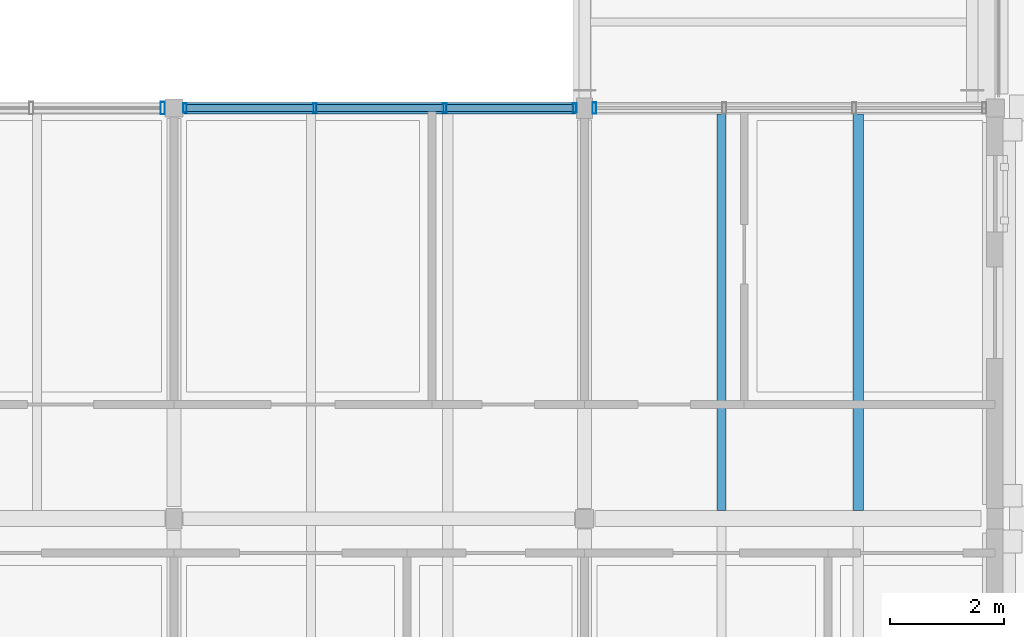
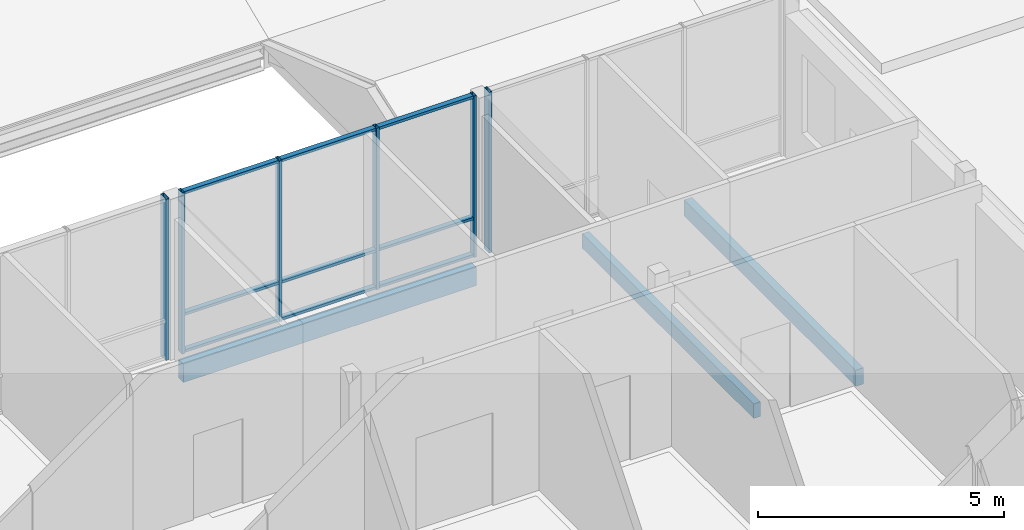
# One storey, part 40 of 115: 15 members, 3 beams, 3 elements without a shape of their own.
"""IFC4 building model written with IfcOpenShell, lengths in metres."""

from ifc_helpers import new_model, si_unit, direction, frame, origin, origin_2d, place, context, subcontext, project, spatial, rectangle, hollow_rectangle, extrude, material, material_profile, profile_set, type_object, element, aggregate, save


model = new_model("IFC4")

# Units and contexts
model_context = context("Model", 3, precision=1e-05, world=origin(), true_north=direction((0.0, 1.0)))
body_context = subcontext(model_context, "Body", "Model", "MODEL_VIEW")
ifc_project = project(units=[si_unit("LENGTHUNIT", "METRE"), si_unit("AREAUNIT", "SQUARE_METRE"), si_unit("VOLUMEUNIT", "CUBIC_METRE"), si_unit("PLANEANGLEUNIT", "RADIAN"), si_unit("MASSUNIT", "GRAM", prefix="KILO")], contexts=[model_context])

# Site, building, storey
site_placement = place(None, origin())
site = spatial("IfcSite", under=ifc_project, at=site_placement, CompositionType="ELEMENT")
building_placement = place(site_placement, origin())
building = spatial("IfcBuilding", under=site, at=building_placement, Name="Hawrajan Terrace Health Centre", CompositionType="ELEMENT")
storey_placement = place(building_placement, frame((0.0, 0.0, 9.0)))
storey = spatial("IfcBuildingStorey", under=building, at=storey_placement, Name="L02", CompositionType="ELEMENT", Elevation=9.0)

# Curtain wall, members
ifc_material_1 = material(Name="Anodized bronze aluminium and low-E solar glazing", Category="aluminium")
curtain_wall_type_1 = type_object("IfcCurtainWallType", Name="CW_Diagnostic_SeriesM2", PredefinedType="USERDEFINED", material=ifc_material_1)
curtain_wall_1_placement = place(storey_placement, origin())
curtain_wall_1 = element("IfcCurtainWall", 1, at=curtain_wall_1_placement, inside=storey, type_object=curtain_wall_type_1, Name="Curtain wall CW-L02-144", ObjectType="UNITISED CURTAIN WALL", PredefinedType="USERDEFINED")
ifc_material_2 = material(Name="Anodized bronze aluminium 6063-T6", Category="aluminium")
ifc_material_profile_1 = material_profile(ifc_material_2, hollow_rectangle(XDim=0.06494140625, YDim=0.159912109375, WallThickness=0.00390625, at=origin_2d()), Name="CW MUL 65x160")
ifc_profile_set_1 = profile_set([ifc_material_profile_1], Name="Anodized bronze aluminium 6063-T6")
member_type_1 = type_object("IfcMemberType", Name="CWMullion_65x160", PredefinedType="MULLION", material=ifc_profile_set_1)
member_1_placement = place(storey_placement, frame((100.79248046875, 18.60009765625, -0.0048828125), z_axis=(0.0, 0.0, 1.0), x_axis=(1.0, 0.0, 0.0)))
member_1 = element("IfcMember", 2, at=member_1_placement, type_object=member_type_1, Name="Mullion CW-L02-144-M1", PredefinedType="MULLION", context=body_context, shape_type="SweptSolid", body=[
    extrude(hollow_rectangle(XDim=0.06494140625, YDim=0.159912109375, WallThickness=0.00390625, at=origin_2d()), origin(), (0.0, 0.0, 1.0), 4.0),
])
member_2_placement = place(storey_placement, frame((103.07080078125, 18.60009765625, -0.0048828125), z_axis=(0.0, 0.0, 1.0), x_axis=(1.0, 0.0, 0.0)))
member_2 = element("IfcMember", 3, at=member_2_placement, type_object=member_type_1, Name="Mullion CW-L02-144-M2", PredefinedType="MULLION", context=body_context, shape_type="SweptSolid", body=[
    extrude(hollow_rectangle(XDim=0.06494140625, YDim=0.159912109375, WallThickness=0.00390625, at=origin_2d()), origin(), (0.0, 0.0, 1.0), 4.0),
])
member_3_placement = place(storey_placement, frame((105.34912109375, 18.60009765625, -0.0048828125), z_axis=(0.0, 0.0, 1.0), x_axis=(1.0, 0.0, 0.0)))
member_3 = element("IfcMember", 4, at=member_3_placement, type_object=member_type_1, Name="Mullion CW-L02-144-M3", PredefinedType="MULLION", context=body_context, shape_type="SweptSolid", body=[
    extrude(hollow_rectangle(XDim=0.06494140625, YDim=0.159912109375, WallThickness=0.00390625, at=origin_2d()), origin(), (0.0, 0.0, 1.0), 4.0),
])
member_4_placement = place(storey_placement, frame((107.62744140625, 18.60009765625, -0.0048828125), z_axis=(0.0, 0.0, 1.0), x_axis=(1.0, 0.0, 0.0)))
member_4 = element("IfcMember", 5, at=member_4_placement, type_object=member_type_1, Name="Mullion CW-L02-144-M4", PredefinedType="MULLION", context=body_context, shape_type="SweptSolid", body=[
    extrude(hollow_rectangle(XDim=0.06494140625, YDim=0.159912109375, WallThickness=0.00390625, at=origin_2d()), origin(), (0.0, 0.0, 1.0), 4.0),
])

# Curtain wall, member
curtain_wall_type_2 = type_object("IfcCurtainWallType", Name="CW_Court_SeriesA1", PredefinedType="USERDEFINED", material=ifc_material_1)
curtain_wall_2_placement = place(storey_placement, origin())
curtain_wall_2 = element("IfcCurtainWall", 6, at=curtain_wall_2_placement, inside=storey, type_object=curtain_wall_type_2, Name="Curtain wall CW-L02-145", ObjectType="UNITISED CURTAIN WALL", PredefinedType="USERDEFINED")
ifc_material_profile_2 = material_profile(ifc_material_2, hollow_rectangle(XDim=0.06494140625, YDim=0.199951171875, WallThickness=0.00439453125, at=origin_2d()), Name="CW MUL 65x200")
ifc_profile_set_2 = profile_set([ifc_material_profile_2], Name="Anodized bronze aluminium 6063-T6")
member_type_2 = type_object("IfcMemberType", Name="CWMullion_65x200", PredefinedType="MULLION", material=ifc_profile_set_2)
member_5_placement = place(storey_placement, frame((107.972412109375, 18.60009765625, -0.0048828125), z_axis=(0.0, 0.0, 1.0), x_axis=(1.0, 0.0, 0.0)))
member_5 = element("IfcMember", 7, at=member_5_placement, type_object=member_type_2, Name="Mullion CW-L02-145-M1", PredefinedType="MULLION", context=body_context, shape_type="SweptSolid", body=[
    extrude(hollow_rectangle(XDim=0.06494140625, YDim=0.199951171875, WallThickness=0.00439453125, at=origin_2d()), origin(), (0.0, 0.0, 1.0), 3.989990234375),
])
aggregate(curtain_wall_2, [member_5])

curtain_wall_type_3 = type_object("IfcCurtainWallType", Name="CW_Diagnostic_SeriesM1", PredefinedType="USERDEFINED", material=ifc_material_1)
curtain_wall_3_placement = place(storey_placement, origin())
curtain_wall_3 = element("IfcCurtainWall", 8, at=curtain_wall_3_placement, inside=storey, type_object=curtain_wall_type_3, Name="Curtain wall CW-L02-143", ObjectType="UNITISED CURTAIN WALL", PredefinedType="USERDEFINED")
ifc_material_profile_3 = material_profile(ifc_material_2, hollow_rectangle(XDim=0.074951171875, YDim=0.219970703125, WallThickness=0.0048828125, at=origin_2d()), Name="CW MUL 75x220")
ifc_profile_set_3 = profile_set([ifc_material_profile_3], Name="Anodized bronze aluminium 6063-T6")
member_type_3 = type_object("IfcMemberType", Name="CWMullion_75x220", PredefinedType="MULLION", material=ifc_profile_set_3)
member_6_placement = place(storey_placement, frame((100.402587890625, 18.60009765625, -0.0048828125), z_axis=(0.0, 0.0, 1.0), x_axis=(1.0, 0.0, 0.0)))
member_6 = element("IfcMember", 9, at=member_6_placement, type_object=member_type_3, Name="Mullion CW-L02-143-M5", PredefinedType="MULLION", context=body_context, shape_type="SweptSolid", body=[
    extrude(hollow_rectangle(XDim=0.074951171875, YDim=0.219970703125, WallThickness=0.0048828125, at=origin_2d()), origin(), (0.0, 0.0, 1.0), 4.0),
])
aggregate(curtain_wall_3, [member_6])

# Member
ifc_material_profile_4 = material_profile(ifc_material_2, hollow_rectangle(XDim=0.06494140625, YDim=0.1201171875, WallThickness=0.00341796875, at=origin_2d()), Name="CW TRN 65x120")
ifc_profile_set_4 = profile_set([ifc_material_profile_4], Name="Anodized bronze aluminium 6063-T6")
member_type_4 = type_object("IfcMemberType", Name="CWTransom_65x120", PredefinedType="USERDEFINED", material=ifc_profile_set_4)
member_7_placement = place(storey_placement, frame((100.819091796875, 18.60009765625, 0.032470703125), z_axis=(1.0, 0.0, 0.0), x_axis=(0.0, 0.0, 1.0)))
member_7 = element("IfcMember", 10, at=member_7_placement, type_object=member_type_4, Name="Transom CW-L02-144-T1-1", ObjectType="TRANSOM", PredefinedType="USERDEFINED", context=body_context, shape_type="SweptSolid", body=[
    extrude(hollow_rectangle(XDim=0.06494140625, YDim=0.1201171875, WallThickness=0.00341796875, at=origin_2d()), origin(), (0.0, 0.0, 1.0), 2.22509765625),
])

member_8_placement = place(storey_placement, frame((100.819091796875, 18.60009765625, 0.949951171875), z_axis=(1.0, 0.0, 0.0), x_axis=(0.0, 0.0, 1.0)))
member_8 = element("IfcMember", 11, at=member_8_placement, type_object=member_type_4, Name="Transom CW-L02-144-T1-2", ObjectType="TRANSOM", PredefinedType="USERDEFINED", context=body_context, shape_type="SweptSolid", body=[
    extrude(hollow_rectangle(XDim=0.06494140625, YDim=0.1201171875, WallThickness=0.00341796875, at=origin_2d()), origin(), (0.0, 0.0, 1.0), 2.22509765625),
])

member_9_placement = place(storey_placement, frame((100.819091796875, 18.60009765625, 3.95751953125), z_axis=(1.0, 0.0, 0.0), x_axis=(0.0, 0.0, 1.0)))
member_9 = element("IfcMember", 12, at=member_9_placement, type_object=member_type_4, Name="Transom CW-L02-144-T1-3", ObjectType="TRANSOM", PredefinedType="USERDEFINED", context=body_context, shape_type="SweptSolid", body=[
    extrude(hollow_rectangle(XDim=0.06494140625, YDim=0.1201171875, WallThickness=0.00341796875, at=origin_2d()), origin(), (0.0, 0.0, 1.0), 2.22509765625),
])

member_10_placement = place(storey_placement, frame((103.097412109375, 18.60009765625, 0.032470703125), z_axis=(1.0, 0.0, 0.0), x_axis=(0.0, 0.0, 1.0)))
member_10 = element("IfcMember", 13, at=member_10_placement, type_object=member_type_4, Name="Transom CW-L02-144-T2-1", ObjectType="TRANSOM", PredefinedType="USERDEFINED", context=body_context, shape_type="SweptSolid", body=[
    extrude(hollow_rectangle(XDim=0.06494140625, YDim=0.1201171875, WallThickness=0.00341796875, at=origin_2d()), origin(), (0.0, 0.0, 1.0), 2.225341796875),
])

member_11_placement = place(storey_placement, frame((103.097412109375, 18.60009765625, 0.949951171875), z_axis=(1.0, 0.0, 0.0), x_axis=(0.0, 0.0, 1.0)))
member_11 = element("IfcMember", 14, at=member_11_placement, type_object=member_type_4, Name="Transom CW-L02-144-T2-2", ObjectType="TRANSOM", PredefinedType="USERDEFINED", context=body_context, shape_type="SweptSolid", body=[
    extrude(hollow_rectangle(XDim=0.06494140625, YDim=0.1201171875, WallThickness=0.00341796875, at=origin_2d()), origin(), (0.0, 0.0, 1.0), 2.225341796875),
])

member_12_placement = place(storey_placement, frame((103.097412109375, 18.60009765625, 3.95751953125), z_axis=(1.0, 0.0, 0.0), x_axis=(0.0, 0.0, 1.0)))
member_12 = element("IfcMember", 15, at=member_12_placement, type_object=member_type_4, Name="Transom CW-L02-144-T2-3", ObjectType="TRANSOM", PredefinedType="USERDEFINED", context=body_context, shape_type="SweptSolid", body=[
    extrude(hollow_rectangle(XDim=0.06494140625, YDim=0.1201171875, WallThickness=0.00341796875, at=origin_2d()), origin(), (0.0, 0.0, 1.0), 2.225341796875),
])

member_13_placement = place(storey_placement, frame((105.375732421875, 18.60009765625, 0.032470703125), z_axis=(1.0, 0.0, 0.0), x_axis=(0.0, 0.0, 1.0)))
member_13 = element("IfcMember", 16, at=member_13_placement, type_object=member_type_4, Name="Transom CW-L02-144-T3-1", ObjectType="TRANSOM", PredefinedType="USERDEFINED", context=body_context, shape_type="SweptSolid", body=[
    extrude(hollow_rectangle(XDim=0.06494140625, YDim=0.1201171875, WallThickness=0.00341796875, at=origin_2d()), origin(), (0.0, 0.0, 1.0), 2.225341796875),
])

member_14_placement = place(storey_placement, frame((105.375732421875, 18.60009765625, 0.949951171875), z_axis=(1.0, 0.0, 0.0), x_axis=(0.0, 0.0, 1.0)))
member_14 = element("IfcMember", 17, at=member_14_placement, type_object=member_type_4, Name="Transom CW-L02-144-T3-2", ObjectType="TRANSOM", PredefinedType="USERDEFINED", context=body_context, shape_type="SweptSolid", body=[
    extrude(hollow_rectangle(XDim=0.06494140625, YDim=0.1201171875, WallThickness=0.00341796875, at=origin_2d()), origin(), (0.0, 0.0, 1.0), 2.225341796875),
])

member_15_placement = place(storey_placement, frame((105.375732421875, 18.60009765625, 3.95751953125), z_axis=(1.0, 0.0, 0.0), x_axis=(0.0, 0.0, 1.0)))
member_15 = element("IfcMember", 18, at=member_15_placement, type_object=member_type_4, Name="Transom CW-L02-144-T3-3", ObjectType="TRANSOM", PredefinedType="USERDEFINED", context=body_context, shape_type="SweptSolid", body=[
    extrude(hollow_rectangle(XDim=0.06494140625, YDim=0.1201171875, WallThickness=0.00341796875, at=origin_2d()), origin(), (0.0, 0.0, 1.0), 2.225341796875),
])

aggregate(curtain_wall_1, [member_1, member_2, member_3, member_4, member_7, member_8, member_9, member_10, member_11, member_12, member_13, member_14, member_15])

# Beams
ifc_material_3 = material(Name="Glulam GL28h", Category="wood")
ifc_material_profile_5 = material_profile(ifc_material_3, rectangle(XDim=0.159912109375, YDim=0.360107421875, at=origin_2d()), Name="GL JST 160x360")
ifc_profile_set_5 = profile_set([ifc_material_profile_5], Name="Glulam GL28h")
beam_type_1 = type_object("IfcBeamType", Name="GlulamJoist_160x360", PredefinedType="JOIST", material=ifc_profile_set_5)
beam_1_placement = place(storey_placement, frame((110.199951171875, 11.5400390625, -0.4599609375), z_axis=(0.0, 1.0, 0.0), x_axis=(-1.0, 0.0, 0.0)))
element("IfcBeam", 19, at=beam_1_placement, inside=storey, type_object=beam_type_1, Name="Secondary joist JST-L02-C-14-2-1", PredefinedType="JOIST", context=body_context, shape_type="SweptSolid", body=[
    extrude(rectangle(XDim=0.159912109375, YDim=0.360107421875, at=origin_2d()), origin(), (0.0, 0.0, 1.0), 6.9599609375),
])
ifc_material_profile_6 = material_profile(ifc_material_3, rectangle(XDim=0.179931640625, YDim=0.39990234375, at=origin_2d()), Name="GL JST 180x400")
ifc_profile_set_6 = profile_set([ifc_material_profile_6], Name="Glulam GL28h")
beam_type_2 = type_object("IfcBeamType", Name="GlulamJoist_180x400", PredefinedType="JOIST", material=ifc_profile_set_6)
beam_2_placement = place(storey_placement, frame((112.60009765625, 11.5400390625, -0.47998046875), z_axis=(0.0, 1.0, 0.0), x_axis=(-1.0, 0.0, 0.0)))
element("IfcBeam", 20, at=beam_2_placement, inside=storey, type_object=beam_type_2, Name="Secondary joist JST-L02-C-14-2-2", PredefinedType="JOIST", context=body_context, shape_type="SweptSolid", body=[
    extrude(rectangle(XDim=0.179931640625, YDim=0.39990234375, at=origin_2d()), origin(), (0.0, 0.0, 1.0), 6.9599609375),
])
ifc_material_4 = material(Name="Glulam GL32h", Category="wood")
ifc_material_profile_7 = material_profile(ifc_material_4, rectangle(XDim=0.199951171875, YDim=0.4599609375, at=origin_2d()), Name="GL SP 200x460")
ifc_profile_set_7 = profile_set([ifc_material_profile_7], Name="Glulam GL32h")
beam_type_3 = type_object("IfcBeamType", Name="GlulamSpandrel_200x460", PredefinedType="SPANDREL", material=ifc_profile_set_7)
beam_3_placement = place(storey_placement, frame((100.780029296875, 18.60009765625, -0.469970703125), z_axis=(1.0, 0.0, 0.0), x_axis=(0.0, 1.0, 0.0)))
element("IfcBeam", 21, at=beam_3_placement, inside=storey, type_object=beam_type_3, Name="Beam BM-X-L02-C-13-Y3", PredefinedType="SPANDREL", context=body_context, shape_type="SweptSolid", body=[
    extrude(rectangle(XDim=0.199951171875, YDim=0.4599609375, at=origin_2d()), origin(), (0.0, 0.0, 1.0), 6.85986328125),
])

save(model, "model.ifc")
